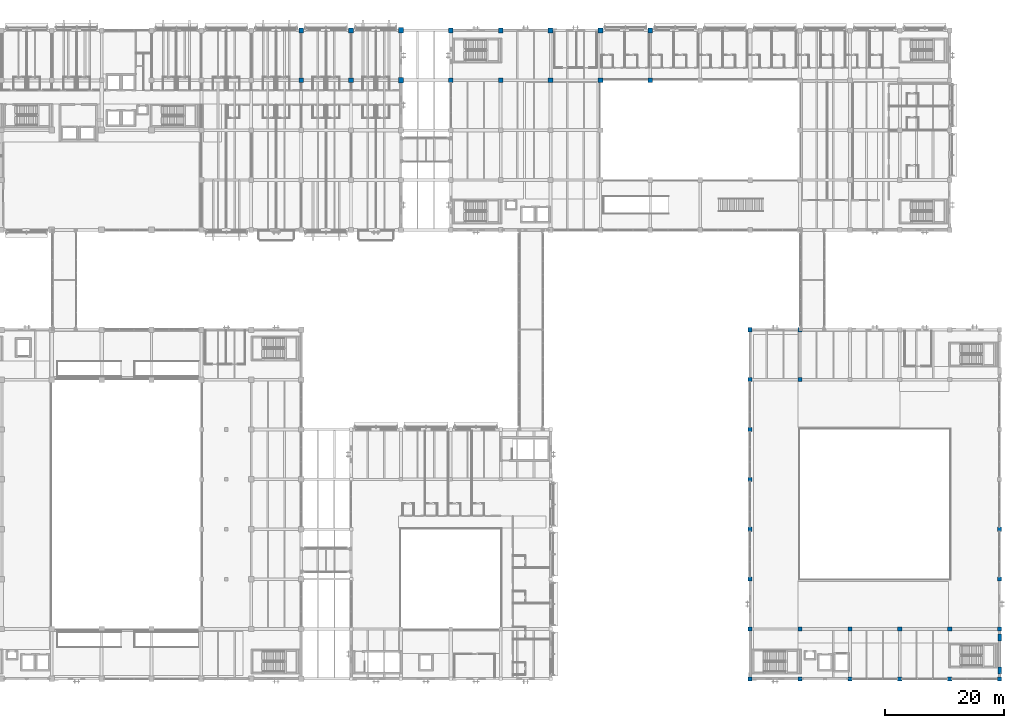
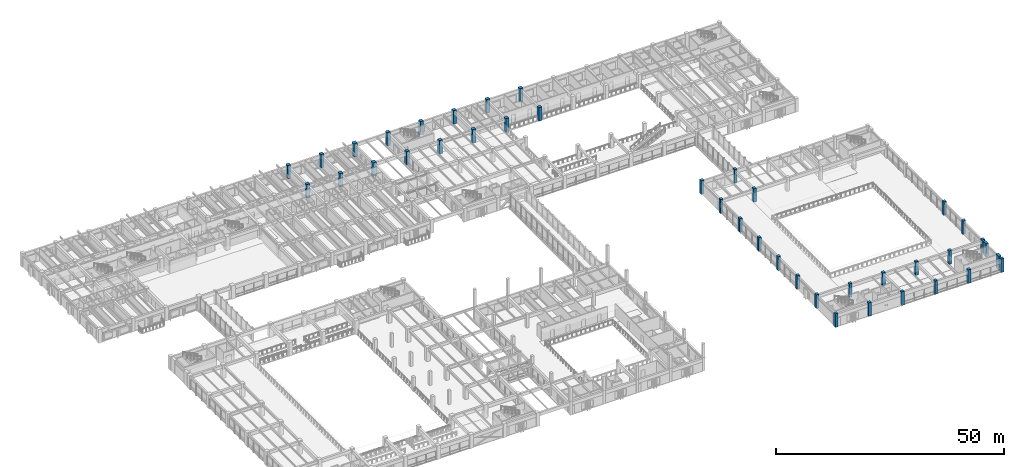
# One storey, part 9 of 118: 40 columns.
"""IFC4 building model written with IfcOpenShell, lengths in metres."""

import ifcopenshell
import ifcopenshell.guid

model = None  # the IFC model being written
_history = None  # IfcOwnerHistory: only IFC2X3 demands one
_inside = {}  # id of a spatial element -> (the spatial element, [elements in it])
_under = {}  # id of a project, library or spatial element -> (it, [spatial elements below it])
_declared = {}  # id of a project -> (the project, [libraries it declares])
_typed = {}  # id of a type object -> (the type object, [elements of that type])
_made_of = {}  # id of a material, layer set ... -> (it, [elements and type objects made of it])


def new_model(schema):
    """Start an empty IFC model of exactly this schema.

    Asked for "IFC4X3", IfcOpenShell would pick the latest addendum, in which some entities
    have other attributes; the version numbers below select the first issue.
    IFC2X3 requires an IfcOwnerHistory on every rooted entity: one is made here for all.
    """
    global model, _history
    if schema == "IFC4X3":
        model = ifcopenshell.file(schema_version=(4, 3, 0, 0))
    else:
        model = ifcopenshell.file(schema=schema)
    _inside.clear()
    _under.clear()
    _declared.clear()
    _typed.clear()
    _made_of.clear()
    _history = None
    if model.schema == "IFC2X3":
        org = make("IfcOrganization", Name="unknown")
        user = make(
            "IfcPersonAndOrganization",
            ThePerson=make("IfcPerson", FamilyName="unknown"),
            TheOrganization=org,
        )
        app = make(
            "IfcApplication",
            ApplicationDeveloper=org,
            Version="unknown",
            ApplicationFullName="unknown",
            ApplicationIdentifier="unknown",
        )
        _history = make(
            "IfcOwnerHistory",
            OwningUser=user,
            OwningApplication=app,
            ChangeAction="ADDED",
            CreationDate=0,
        )
    return model


def make(cls, **values):
    """One entity of the class cls with the attributes given. An attribute that is None is left unset."""
    return model.create_entity(
        cls, **{name: value for name, value in values.items() if value is not None}
    )


def rooted(cls, **values):
    """An entity with a GlobalId (a new one), such as an element, a storey or a relation."""
    return make(cls, GlobalId=ifcopenshell.guid.new(), OwnerHistory=_history, **values)


def si_unit(unit_type, name, prefix=None):
    """IfcSIUnit, for example si_unit("LENGTHUNIT", "METRE", prefix="MILLI")."""
    return make("IfcSIUnit", UnitType=unit_type, Prefix=prefix, Name=name)


def assignment(units):
    """IfcUnitAssignment: the units of a project."""
    return None if units is None else make("IfcUnitAssignment", Units=units)


def point(xyz):
    """IfcCartesianPoint."""
    return None if xyz is None else make("IfcCartesianPoint", Coordinates=xyz)


def direction(xyz):
    """IfcDirection."""
    return None if xyz is None else make("IfcDirection", DirectionRatios=xyz)


def frame(location, z_axis=None, x_axis=None):
    """IfcAxis2Placement3D, a coordinate frame: its origin and axes. An axis left out is left unset."""
    return make(
        "IfcAxis2Placement3D",
        Location=point(location),
        Axis=direction(z_axis),
        RefDirection=direction(x_axis),
    )


def frame_2d(location, x_axis=None):
    """IfcAxis2Placement2D, a coordinate frame in the plane: its origin and x axis."""
    return make(
        "IfcAxis2Placement2D", Location=point(location), RefDirection=direction(x_axis)
    )


def origin():
    """The frame at (0, 0, 0) with its axes left unset."""
    return frame((0.0, 0.0, 0.0))


def origin_2d():
    """The frame at (0, 0) in the plane with its x axis left unset."""
    return frame_2d((0.0, 0.0))


def place(relative_to, where):
    """IfcLocalPlacement: puts the frame where relative to a parent placement (None: the world)."""
    return make(
        "IfcLocalPlacement", PlacementRelTo=relative_to, RelativePlacement=where
    )


def context(
    kind, dimensions, precision=None, world=None, true_north=None, identifier=None
):
    """IfcGeometricRepresentationContext, for example the 3D "Model" context."""
    return make(
        "IfcGeometricRepresentationContext",
        ContextIdentifier=identifier,
        ContextType=kind,
        CoordinateSpaceDimension=dimensions,
        Precision=precision,
        WorldCoordinateSystem=world,
        TrueNorth=true_north,
    )


def subcontext(parent, identifier, kind, view, scale=None):
    """IfcGeometricRepresentationSubContext, for example "Body" below "Model"."""
    return make(
        "IfcGeometricRepresentationSubContext",
        ContextIdentifier=identifier,
        ContextType=kind,
        ParentContext=parent,
        TargetScale=scale,
        TargetView=view,
    )


def project(units=None, contexts=None):
    """IfcProject with its units and contexts."""
    return rooted(
        "IfcProject",
        Name="project",
        RepresentationContexts=contexts,
        UnitsInContext=assignment(units),
    )


def spatial(cls, under=None, at=None, **own):
    """A site, building, storey or space (cls), placed at a placement, below another one or the project."""
    s = rooted(cls, ObjectPlacement=at, **own)
    if under is not None:
        _under.setdefault(under.id(), (under, []))[1].append(s)
    return s


def profile(cls, at=None, kind="AREA", **sizes):
    """A parametric profile (cls). Its sizes go by their IFC names, for example OverallWidth=200.0."""
    return make(cls, ProfileType=kind, Position=at, **sizes)


def rectangle(**sizes):
    """IfcRectangleProfileDef."""
    return profile("IfcRectangleProfileDef", **sizes)


def extrude(swept, where, along, depth):
    """IfcExtrudedAreaSolid: the profile swept, set in the frame where, extruded along a direction by depth."""
    return make(
        "IfcExtrudedAreaSolid",
        SweptArea=swept,
        Position=where,
        ExtrudedDirection=direction(along),
        Depth=depth,
    )


def shape(context_of_items, identifier, shape_type, items):
    """IfcShapeRepresentation: the items that make up one representation, for example the "Body"."""
    return make(
        "IfcShapeRepresentation",
        ContextOfItems=context_of_items,
        RepresentationIdentifier=identifier,
        RepresentationType=shape_type,
        Items=items,
    )


def material(Name=None, Category=None):
    """IfcMaterial."""
    return make("IfcMaterial", Name=Name, Category=Category)


def material_profile(
    of_material, cross_section, Name=None, Category=None, Priority=None
):
    """IfcMaterialProfile: a cross section and its material."""
    return make(
        "IfcMaterialProfile",
        Name=Name,
        Material=of_material,
        Profile=cross_section,
        Priority=Priority,
        Category=Category,
    )


def profile_set(profiles, Name=None, composite=None):
    """IfcMaterialProfileSet."""
    return make(
        "IfcMaterialProfileSet",
        Name=Name,
        MaterialProfiles=profiles,
        CompositeProfile=composite,
    )


def made_of(thing, what):
    """Note that an element or type object is made of a material, layer set ...; save() writes the relation."""
    if what is not None:
        _made_of.setdefault(what.id(), (what, []))[1].append(thing)
    return thing


def type_object(cls, material=None, **own):
    """A type object (cls), such as IfcWallType, which elements share."""
    return made_of(rooted(cls, **own), material)


def element(
    cls,
    number,
    at=None,
    inside=None,
    cuts=None,
    type_object=None,
    material=None,
    context=None,
    identifier="Body",
    shape_type=None,
    held_by="IfcProductDefinitionShape",
    body=None,
    shapes=None,
    **own,
):
    """One element of the class cls, such as IfcWall. Its Tag is "e" and its number.

    at: its placement. inside: the storey or other place that contains it. cuts: it is an
    opening in that element (IfcRelVoidsElement). A single representation is given by context,
    identifier, shape_type and body (its items); several are given by shapes. held_by: the class
    of the entity that holds the representations. save() writes the other relations.
    """
    e = rooted(cls, Tag="e%d" % number, ObjectPlacement=at, **own)
    if body is not None:
        shapes = [shape(context, identifier, shape_type, body)]
    if shapes is not None:
        e.Representation = make(held_by, Representations=shapes)
    if inside is not None:
        _inside.setdefault(inside.id(), (inside, []))[1].append(e)
    if cuts is not None:
        rooted(
            "IfcRelVoidsElement", RelatingBuildingElement=cuts, RelatedOpeningElement=e
        )
    if type_object is not None:
        _typed.setdefault(type_object.id(), (type_object, []))[1].append(e)
    return made_of(e, material)


def aggregate(whole, parts):
    """IfcRelAggregates: a whole, such as a stair, and the parts it consists of."""
    return rooted("IfcRelAggregates", RelatingObject=whole, RelatedObjects=parts)


def save(model, path):
    """Write the relations noted so far, then the file.

    IfcRelAggregates (storeys below a building ...), IfcRelContainedInSpatialStructure (elements
    in a storey), IfcRelDefinesByType, IfcRelAssociatesMaterial and IfcRelDeclares: one each for
    every whole, place, type object, material and project.
    """
    for whole, parts in _under.values():
        aggregate(whole, parts)
    for where, things in _inside.values():
        rooted(
            "IfcRelContainedInSpatialStructure",
            RelatedElements=things,
            RelatingStructure=where,
        )
    for kind, things in _typed.values():
        rooted("IfcRelDefinesByType", RelatedObjects=things, RelatingType=kind)
    for what, things in _made_of.values():
        rooted("IfcRelAssociatesMaterial", RelatedObjects=things, RelatingMaterial=what)
    for by, libraries in _declared.values():
        rooted("IfcRelDeclares", RelatingContext=by, RelatedDefinitions=libraries)
    model.write(path)


model = new_model("IFC4")

# Units and contexts
model_context = context("Model", 3, precision=1e-05, world=origin(), true_north=direction((0.0, 1.0)))
body_context = subcontext(model_context, "Body", "Model", "MODEL_VIEW")
ifc_project = project(units=[si_unit("LENGTHUNIT", "METRE"), si_unit("AREAUNIT", "SQUARE_METRE"), si_unit("VOLUMEUNIT", "CUBIC_METRE"), si_unit("PLANEANGLEUNIT", "RADIAN"), si_unit("MASSUNIT", "GRAM", prefix="KILO")], contexts=[model_context])

# Site, building, storey
site_placement = place(None, origin())
site = spatial("IfcSite", under=ifc_project, at=site_placement, CompositionType="ELEMENT")
building_placement = place(site_placement, origin())
building = spatial("IfcBuilding", under=site, at=building_placement, Name="Cumbredor Promenade Congress Hotel", CompositionType="ELEMENT")
storey_placement = place(building_placement, frame((0.0, 0.0, 3.919921875)))
storey = spatial("IfcBuildingStorey", under=building, at=storey_placement, Name="L01", CompositionType="ELEMENT", Elevation=3.919921875)

# Columns
ifc_material_1 = material(Name="Concrete C40/50", Category="concrete")
ifc_material_profile_1 = material_profile(ifc_material_1, rectangle(XDim=0.699951171875, YDim=0.699951171875, at=origin_2d()), Name="RC 700x700")
ifc_profile_set_1 = profile_set([ifc_material_profile_1], Name="Concrete C40/50")
column_type_1 = type_object("IfcColumnType", Name="COL-RC-700", PredefinedType="COLUMN", material=ifc_profile_set_1)
for number, where, z_axis, x_axis, name in (
    (1, (142.800048828125, 8.39990234375, 0.0), (0.0, 0.0, 1.0), (1.0, 0.0, 0.0), "L01 Structural Column 153"),
    (2, (142.800048828125, 16.800048828125, 0.0), (0.0, 0.0, 1.0), (1.0, 0.0, 0.0), "L01 Structural Column 154"),
    (3, (142.800048828125, 25.199951171875, 0.0), (0.0, 0.0, 1.0), (1.0, 0.0, 0.0), "L01 Structural Column 155"),
    (4, (142.800048828125, 33.60009765625, 0.0), (0.0, 0.0, 1.0), (1.0, 0.0, 0.0), "L01 Structural Column 156"),
    (5, (142.800048828125, 42.0, 0.0), (0.0, 0.0, 1.0), (1.0, 0.0, 0.0), "L01 Structural Column 157"),
    (6, (142.800048828125, 50.39990234375, 0.0), (0.0, 0.0, 1.0), (1.0, 0.0, 0.0), "L01 Structural Column 158"),
    (7, (142.800048828125, 58.800048828125, 0.0), (0.0, 0.0, 1.0), (1.0, 0.0, 0.0), "L01 Structural Column 159"),
    (8, (142.800048828125, 67.199951171875, 0.0), (0.0, 0.0, 1.0), (1.0, 0.0, 0.0), "L01 Structural Column 160"),
    (9, (151.199951171875, 8.39990234375, 0.0), (0.0, 0.0, 1.0), (1.0, 0.0, 0.0), "L01 Structural Column 165"),
    (10, (151.199951171875, 16.800048828125, 0.0), (0.0, 0.0, 1.0), (1.0, 0.0, 0.0), "L01 Structural Column 166"),
    (11, (151.199951171875, 58.800048828125, 0.0), (0.0, 0.0, 1.0), (1.0, 0.0, 0.0), "L01 Structural Column 167"),
    (12, (151.199951171875, 67.199951171875, 0.0), (0.0, 0.0, 1.0), (1.0, 0.0, 0.0), "L01 Structural Column 168"),
    (13, (159.60009765625, 8.39990234375, 0.0), (0.0, 0.0, 1.0), (1.0, 0.0, 0.0), "L01 Structural Column 174"),
    (14, (159.60009765625, 16.800048828125, 0.0), (0.0, 0.0, 1.0), (1.0, 0.0, 0.0), "L01 Structural Column 175"),
    (15, (168.0, 8.39990234375, 0.0), (0.0, 0.0, 1.0), (1.0, 0.0, 0.0), "L01 Structural Column 183"),
    (16, (168.0, 16.800048828125, 0.0), (0.0, 0.0, 1.0), (1.0, 0.0, 0.0), "L01 Structural Column 184"),
    (17, (176.39990234375, 8.39990234375, 0.0), (0.0, 0.0, 1.0), (1.0, 0.0, 0.0), "L01 Structural Column 192"),
    (18, (176.39990234375, 16.800048828125, 0.0), (0.0, 0.0, 1.0), (1.0, 0.0, 0.0), "L01 Structural Column 193"),
    (19, (184.800048828125, 8.39990234375, 0.0), (0.0, 0.0, 1.0), (1.0, 0.0, 0.0), "L01 Structural Column 201"),
    (20, (184.800048828125, 16.800048828125, 0.0), (0.0, 0.0, 1.0), (1.0, 0.0, 0.0), "L01 Structural Column 202"),
    (21, (184.800048828125, 25.199951171875, 0.0), (0.0, 0.0, 1.0), (1.0, 0.0, 0.0), "L01 Structural Column 203"),
    (22, (184.800048828125, 33.60009765625, 0.0), (0.0, 0.0, 1.0), (1.0, 0.0, 0.0), "L01 Structural Column 204"),
):
    element("IfcColumn", number, at=place(storey_placement, frame(where, z_axis=z_axis, x_axis=x_axis)), inside=storey, type_object=column_type_1, Name=name, PredefinedType="COLUMN", context=body_context, shape_type="SweptSolid", body=[
        extrude(rectangle(XDim=0.699951171875, YDim=0.699951171875, at=origin_2d()), origin(), (0.0, 0.0, 1.0), 3.64013671875),
    ])
ifc_material_2 = material(Name="Concrete C50/60", Category="concrete")
ifc_material_profile_2 = material_profile(ifc_material_2, rectangle(XDim=0.800048828125, YDim=0.800048828125, at=origin_2d()), Name="RC 800x800")
ifc_profile_set_2 = profile_set([ifc_material_profile_2], Name="Concrete C50/60")
column_type_2 = type_object("IfcColumnType", Name="COL-RC-800", PredefinedType="COLUMN", material=ifc_profile_set_2)
for number, where, z_axis, x_axis, name in (
    (23, (67.199951171875, 109.199951171875, 0.0), (0.0, 0.0, 1.0), (1.0, 0.0, 0.0), "L01 Structural Column 089"),
    (24, (67.199951171875, 117.60009765625, 0.0), (0.0, 0.0, 1.0), (1.0, 0.0, 0.0), "L01 Structural Column 090"),
    (25, (75.60009765625, 109.199951171875, 0.0), (0.0, 0.0, 1.0), (1.0, 0.0, 0.0), "L01 Structural Column 100"),
    (26, (75.60009765625, 117.60009765625, 0.0), (0.0, 0.0, 1.0), (1.0, 0.0, 0.0), "L01 Structural Column 101"),
    (27, (92.39990234375, 109.199951171875, 0.0), (0.0, 0.0, 1.0), (1.0, 0.0, 0.0), "L01 Structural Column 118"),
    (28, (92.39990234375, 117.60009765625, 0.0), (0.0, 0.0, 1.0), (1.0, 0.0, 0.0), "L01 Structural Column 119"),
    (29, (100.800048828125, 109.199951171875, 0.0), (0.0, 0.0, 1.0), (1.0, 0.0, 0.0), "L01 Structural Column 127"),
    (30, (100.800048828125, 117.60009765625, 0.0), (0.0, 0.0, 1.0), (1.0, 0.0, 0.0), "L01 Structural Column 128"),
    (31, (109.199951171875, 109.199951171875, 0.0), (0.0, 0.0, 1.0), (1.0, 0.0, 0.0), "L01 Structural Column 138"),
    (32, (109.199951171875, 117.60009765625, 0.0), (0.0, 0.0, 1.0), (1.0, 0.0, 0.0), "L01 Structural Column 139"),
    (33, (117.60009765625, 109.199951171875, 0.0), (0.0, 0.0, 1.0), (1.0, 0.0, 0.0), "L01 Structural Column 143"),
    (34, (117.60009765625, 117.60009765625, 0.0), (0.0, 0.0, 1.0), (1.0, 0.0, 0.0), "L01 Structural Column 144"),
    (35, (126.0, 109.199951171875, 0.0), (0.0, 0.0, 1.0), (1.0, 0.0, 0.0), "L01 Structural Column 147"),
    (36, (126.0, 117.60009765625, 0.0), (0.0, 0.0, 1.0), (1.0, 0.0, 0.0), "L01 Structural Column 148"),
):
    element("IfcColumn", number, at=place(storey_placement, frame(where, z_axis=z_axis, x_axis=x_axis)), inside=storey, type_object=column_type_2, Name=name, PredefinedType="COLUMN", context=body_context, shape_type="SweptSolid", body=[
        extrude(rectangle(XDim=0.800048828125, YDim=0.800048828125, at=origin_2d()), origin(), (0.0, 0.0, 1.0), 3.64013671875),
    ])
ifc_material_profile_3 = material_profile(ifc_material_2, rectangle(XDim=0.89990234375, YDim=0.89990234375, at=origin_2d()), Name="RC 900x900")
ifc_profile_set_3 = profile_set([ifc_material_profile_3], Name="Concrete C50/60")
column_type_3 = type_object("IfcColumnType", Name="COL-RC-900", PredefinedType="COLUMN", material=ifc_profile_set_3)
for number, where, z_axis, x_axis, name in (
    (37, (84.0, 109.199951171875, 0.0), (0.0, 0.0, 1.0), (1.0, 0.0, 0.0), "L01 Structural Column 109"),
    (38, (84.0, 117.60009765625, 0.0), (0.0, 0.0, 1.0), (1.0, 0.0, 0.0), "L01 Structural Column 110"),
):
    element("IfcColumn", number, at=place(storey_placement, frame(where, z_axis=z_axis, x_axis=x_axis)), inside=storey, type_object=column_type_3, Name=name, PredefinedType="COLUMN", context=body_context, shape_type="SweptSolid", body=[
        extrude(rectangle(XDim=0.89990234375, YDim=0.89990234375, at=origin_2d()), origin(), (0.0, 0.0, 1.0), 3.64013671875),
    ])
ifc_material_profile_4 = material_profile(ifc_material_2, rectangle(XDim=0.60009765625, YDim=1.199951171875, at=origin_2d()), Name="RC PILASTER 1200x600")
ifc_profile_set_4 = profile_set([ifc_material_profile_4], Name="Concrete C50/60")
column_type_4 = type_object("IfcColumnType", Name="PIL-RC-1200x600", PredefinedType="PILASTER", material=ifc_profile_set_4)
for number, where, z_axis, x_axis, name in (
    (39, (184.800048828125, 9.800048828125, 0.0), (0.0, 0.0, 1.0), (1.0, 0.0, 0.0), "L01 Acoustic Seismic Pilaster 029"),
    (40, (184.800048828125, 15.39990234375, 0.0), (0.0, 0.0, 1.0), (1.0, 0.0, 0.0), "L01 Acoustic Seismic Pilaster 030"),
):
    element("IfcColumn", number, at=place(storey_placement, frame(where, z_axis=z_axis, x_axis=x_axis)), inside=storey, type_object=column_type_4, Name=name, PredefinedType="PILASTER", context=body_context, shape_type="SweptSolid", body=[
        extrude(rectangle(XDim=0.60009765625, YDim=1.199951171875, at=origin_2d()), origin(), (0.0, 0.0, 1.0), 3.64013671875),
    ])

save(model, "model.ifc")
